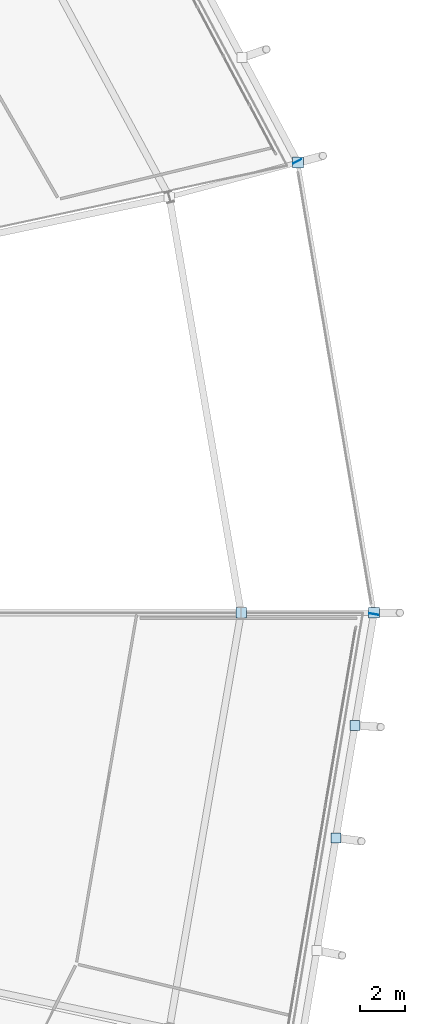
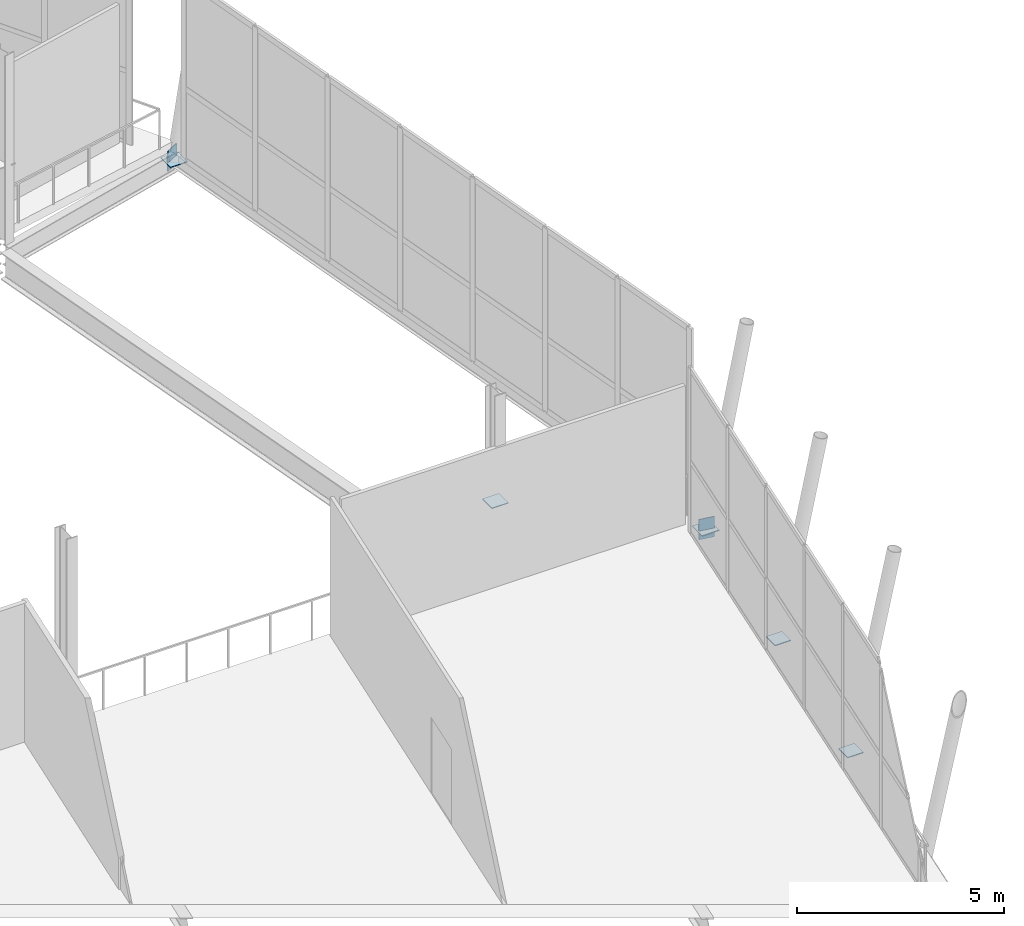
# One storey, part 75 of 99: 7 plates.
"""IFC4 building model written with IfcOpenShell, lengths in metres."""

from ifc_helpers import new_model, si_unit, direction, frame, origin, origin_2d, place, context, subcontext, project, spatial, rectangle, extrude, material, layer, layer_set, type_object, element, save


model = new_model("IFC4")

# Units and contexts
model_context = context("Model", 3, precision=1e-05, world=origin(), true_north=direction((0.0, 1.0)))
body_context = subcontext(model_context, "Body", "Model", "MODEL_VIEW")
ifc_project = project(units=[si_unit("LENGTHUNIT", "METRE"), si_unit("AREAUNIT", "SQUARE_METRE"), si_unit("VOLUMEUNIT", "CUBIC_METRE"), si_unit("PLANEANGLEUNIT", "RADIAN"), si_unit("MASSUNIT", "GRAM", prefix="KILO")], contexts=[model_context])

# Site, building, storey
site_placement = place(None, origin())
site = spatial("IfcSite", under=ifc_project, at=site_placement, CompositionType="ELEMENT")
building_placement = place(site_placement, origin())
building = spatial("IfcBuilding", under=site, at=building_placement, Name="Zlatoyarsky Gate Stadium", CompositionType="ELEMENT")
storey_placement = place(building_placement, frame((0.0, 0.0, 26.199951171875)))
storey = spatial("IfcBuildingStorey", under=building, at=storey_placement, Name="L05", CompositionType="ELEMENT", Elevation=26.199951171875)

# Plates
ifc_material = material(Name="Steel S355", Category="steel")
ifc_layer = layer(ifc_material, 0.02392578125)
ifc_layer_set = layer_set([ifc_layer], Name="Steel S355")
plate_type = type_object("IfcPlateType", Name="STEEL HOLLOW CHORD SPLICE SHEET 24", PredefinedType="SHEET", material=ifc_layer_set)
plate_1_placement = place(storey_placement, frame((209.878173828125, 80.0, -0.572021484375), z_axis=(0.0, 0.0, 1.0), x_axis=(1.0, 0.0, 0.0)))
element("IfcPlate", 1, at=plate_1_placement, inside=storey, type_object=plate_type, Name="Node closure plate ND-SP1 NCAP-L05-RSTR-00", PredefinedType="SHEET", context=body_context, shape_type="SweptSolid", body=[
    extrude(rectangle(XDim=0.47998046875, YDim=0.47998046875, at=origin_2d()), origin(), (0.0, 0.0, 1.0), 0.02392578125),
])
plate_2_placement = place(storey_placement, frame((206.480712890625, 99.950439453125, -0.81005859375), z_axis=(0.0, 0.0, 1.0), x_axis=(-0.47018795571, 0.88256630703, 0.0)))
element("IfcPlate", 2, at=plate_2_placement, inside=storey, type_object=plate_type, Name="Hollow end cap ND-SP1 CAP-L05-SPD-01 A", PredefinedType="SHEET", context=body_context, shape_type="SweptSolid", body=[
    extrude(rectangle(XDim=0.02392578125, YDim=0.39990234375, at=origin_2d()), origin(), (0.0, 0.0, 1.0), 0.60009765625),
])
plate_3_placement = place(storey_placement, frame((206.5087890625, 99.8974609375, -0.572021484375), z_axis=(0.0, 0.0, 1.0), x_axis=(1.0, 0.0, 0.0)))
element("IfcPlate", 3, at=plate_3_placement, inside=storey, type_object=plate_type, Name="Node closure plate ND-SP1 NCAP-L05-RSTR-01", PredefinedType="SHEET", context=body_context, shape_type="SweptSolid", body=[
    extrude(rectangle(XDim=0.47998046875, YDim=0.47998046875, at=origin_2d()), origin(), (0.0, 0.0, 1.0), 0.02392578125),
])
plate_4_placement = place(storey_placement, frame((209.8681640625, 79.94091796875, -0.81005859375), z_axis=(0.0, 0.0, 1.0), x_axis=(0.16695131311, 0.98596514089, 0.0)))
element("IfcPlate", 4, at=plate_4_placement, inside=storey, type_object=plate_type, Name="Hollow end cap ND-SP1 CAP-L05-SPD-23 B", PredefinedType="SHEET", context=body_context, shape_type="SweptSolid", body=[
    extrude(rectangle(XDim=0.02392578125, YDim=0.39990234375, at=origin_2d()), origin(), (0.0, 0.0, 1.0), 0.60009765625),
])
plate_5_placement = place(storey_placement, frame((204.0, 80.0, 2.2880859375), z_axis=(0.0, 0.0, 1.0), x_axis=(1.0, 0.0, 0.0)))
element("IfcPlate", 5, at=plate_5_placement, inside=storey, type_object=plate_type, Name="Node closure plate ND-SP1 NCAP-BPROP-00", PredefinedType="SHEET", context=body_context, shape_type="SweptSolid", body=[
    extrude(rectangle(XDim=0.4599609375, YDim=0.4599609375, at=origin_2d()), origin(), (0.0, 0.0, 1.0), 0.02392578125),
])
for number, where, z_axis, x_axis, name in (
    (6, (208.193603515625, 70.05126953125, -0.52197265625), (0.0, 0.0, 1.0), (1.0, 0.0, 0.0), "Node closure plate ND-SP1 NCAP-RIB-23-2-3T"),
    (7, (209.035888671875, 75.025634765625, -0.52197265625), (0.0, 0.0, 1.0), (1.0, 0.0, 0.0), "Node closure plate ND-SP1 NCAP-RIB-23-3-3T"),
):
    element("IfcPlate", number, at=place(storey_placement, frame(where, z_axis=z_axis, x_axis=x_axis)), inside=storey, type_object=plate_type, Name=name, PredefinedType="SHEET", context=body_context, shape_type="SweptSolid", body=[
        extrude(rectangle(XDim=0.43994140625, YDim=0.43994140625, at=origin_2d()), origin(), (0.0, 0.0, 1.0), 0.02392578125),
    ])

save(model, "model.ifc")
